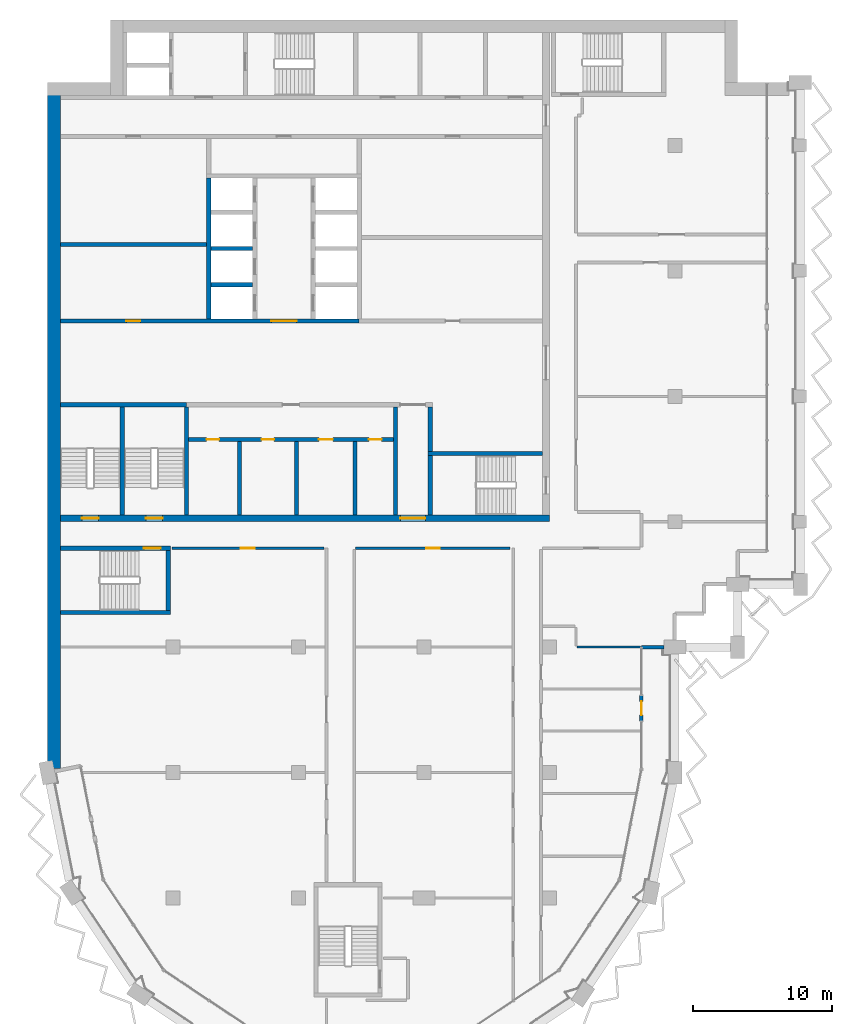
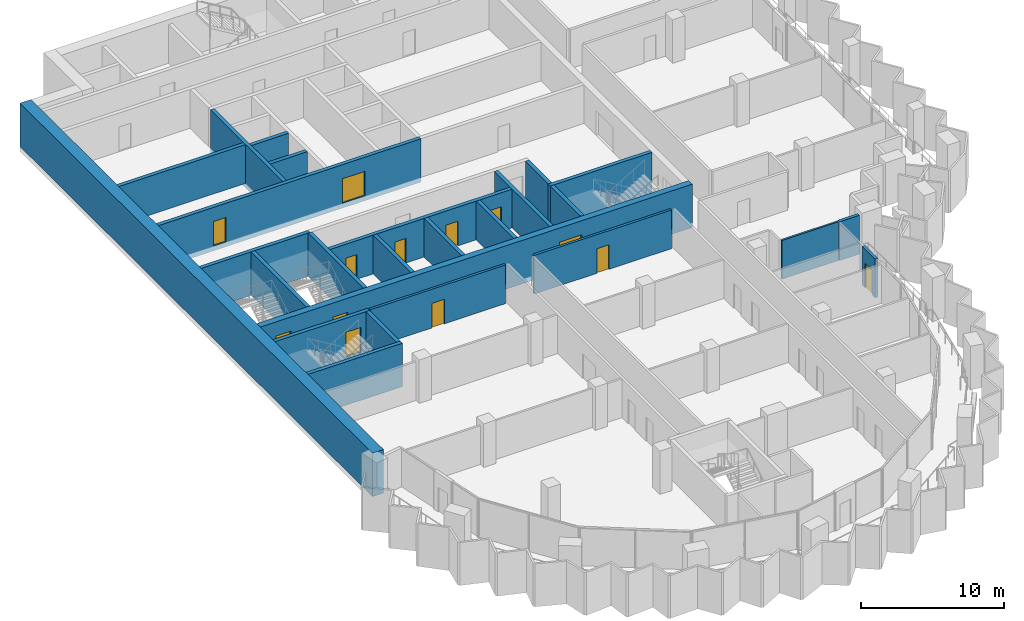
# One storey, part 8 of 16: 26 walls, 13 doors, 13 openings.
"""IFC4 building model written with IfcOpenShell, lengths in metres."""

from ifc_helpers import new_model, si_unit, direction, frame, frame_2d, origin, place, context, subcontext, project, spatial, rectangle, extrude, material, layer, layer_set, type_object, element, fill, save


model = new_model("IFC4")

# Units and contexts
model_context = context("Model", 3, precision=1e-05, world=origin(), true_north=direction((0.0, 1.0)))
body_context = subcontext(model_context, "Body", "Model", "MODEL_VIEW")
ifc_project = project(units=[si_unit("LENGTHUNIT", "METRE"), si_unit("AREAUNIT", "SQUARE_METRE"), si_unit("VOLUMEUNIT", "CUBIC_METRE"), si_unit("PLANEANGLEUNIT", "RADIAN"), si_unit("MASSUNIT", "GRAM", prefix="KILO")], contexts=[model_context])

# Site, building, storey
site_placement = place(None, origin())
site = spatial("IfcSite", under=ifc_project, at=site_placement, CompositionType="ELEMENT")
building_placement = place(site_placement, origin())
building = spatial("IfcBuilding", under=site, at=building_placement, Name="Hunhe Ridgeline Campus", CompositionType="ELEMENT")
storey_placement = place(building_placement, frame((0.0, 0.0, 257.699951171875)))
storey = spatial("IfcBuildingStorey", under=building, at=storey_placement, Name="L66", CompositionType="ELEMENT", Elevation=257.699951171875)

# Wall, openings, doors
ifc_material_1 = material(Name="Masonry concrete blockwork", Category="masonry")
ifc_layer_1 = layer(ifc_material_1, 0.300048828125)
ifc_layer_set_1 = layer_set([ifc_layer_1], Name="Core room partition 300 concrete block")
wall_type_1 = type_object("IfcWallType", Name="Core room partition 300 concrete block", PredefinedType="PARTITIONING", material=ifc_layer_set_1)
wall_1_placement = place(storey_placement, frame((10.10009765625, 68.89990234375, 0.0), z_axis=(0.0, 0.0, 1.0), x_axis=(1.0, 0.0, 0.0)))
wall_1 = element("IfcWall", 1, at=wall_1_placement, inside=storey, type_object=wall_type_1, Name="L66 core partition 7", PredefinedType="PARTITIONING", context=body_context, shape_type="SweptSolid", body=[
    extrude(rectangle(XDim=14.699951171875, YDim=0.300048828125, at=frame_2d((7.35009765625, 0.0))), origin(), (0.0, 0.0, 1.0), 3.300048828125),
])
opening_1_placement = place(wall_1_placement, frame((1.300048828125, 0.0, 0.0)))
opening_1 = element("IfcOpeningElement", 2, at=opening_1_placement, cuts=wall_1, Name="Opening CD8", PredefinedType="OPENING", context=body_context, shape_type="SweptSolid", body=[
    extrude(rectangle(XDim=0.89990234375, YDim=2.10009765625, at=frame_2d((0.449951171875, 1.050048828125))), frame((0.0, 0.14990234375, 0.0), z_axis=(0.0, -1.0, 0.0), x_axis=(1.0, 0.0, 0.0)), (0.0, 0.0, 1.0), 0.300048828125),
])
opening_2_placement = place(wall_1_placement, frame((5.25, 0.0, 0.0)))
opening_2 = element("IfcOpeningElement", 3, at=opening_2_placement, cuts=wall_1, Name="Opening CD9", PredefinedType="OPENING", context=body_context, shape_type="SweptSolid", body=[
    extrude(rectangle(XDim=0.89990234375, YDim=2.10009765625, at=frame_2d((0.449951171875, 1.050048828125))), frame((0.0, 0.14990234375, 0.0), z_axis=(0.0, -1.0, 0.0), x_axis=(1.0, 0.0, 0.0)), (0.0, 0.0, 1.0), 0.300048828125),
])
opening_3_placement = place(wall_1_placement, frame((9.35009765625, 0.0, 0.0)))
opening_3 = element("IfcOpeningElement", 4, at=opening_3_placement, cuts=wall_1, Name="Opening CD10", PredefinedType="OPENING", context=body_context, shape_type="SweptSolid", body=[
    extrude(rectangle(XDim=1.0, YDim=2.10009765625, at=frame_2d((0.5, 1.050048828125))), frame((0.0, 0.14990234375, 0.0), z_axis=(0.0, -1.0, 0.0), x_axis=(1.0, 0.0, 0.0)), (0.0, 0.0, 1.0), 0.300048828125),
])
opening_4_placement = place(wall_1_placement, frame((12.949951171875, 0.0, 0.0)))
opening_4 = element("IfcOpeningElement", 5, at=opening_4_placement, cuts=wall_1, Name="Opening CD11", PredefinedType="OPENING", context=body_context, shape_type="SweptSolid", body=[
    extrude(rectangle(XDim=0.89990234375, YDim=2.10009765625, at=frame_2d((0.449951171875, 1.050048828125))), frame((0.0, 0.14990234375, 0.0), z_axis=(0.0, -1.0, 0.0), x_axis=(1.0, 0.0, 0.0)), (0.0, 0.0, 1.0), 0.300048828125),
])
ifc_material_2 = material(Name="Solid core timber door leaf", Category="wood")
door_type_1 = type_object("IfcDoorType", Name="Timber door 1000x2100", OperationType="SINGLE_SWING_LEFT", PredefinedType="DOOR", material=ifc_material_2)
door_1_placement = place(opening_3_placement, frame((1.0, 0.0, 0.0), z_axis=(0.0, 0.0, 1.0), x_axis=(-1.0, 0.0, 0.0)))
door_1 = element("IfcDoor", 6, at=door_1_placement, inside=storey, type_object=door_type_1, Name="L66 door WC3", OperationType="SINGLE_SWING_LEFT", OverallHeight=2.10009765625, OverallWidth=1.0, PredefinedType="DOOR", context=body_context, shape_type="SweptSolid", body=[
    extrude(rectangle(XDim=1.0, YDim=2.10009765625, at=frame_2d((0.5, 1.050048828125))), frame((0.0, 0.02490234375, 0.0), z_axis=(0.0, -1.0, 0.0), x_axis=(1.0, 0.0, 0.0)), (0.0, 0.0, 1.0), 0.050048828125),
])
fill(opening_3, door_1)
door_type_2 = type_object("IfcDoorType", Name="Timber door 900x2100", OperationType="SINGLE_SWING_LEFT", PredefinedType="DOOR", material=ifc_material_2)
door_2_placement = place(opening_1_placement, frame((0.89990234375, 0.0, 0.0), z_axis=(0.0, 0.0, 1.0), x_axis=(-1.0, 0.0, 0.0)))
door_2 = element("IfcDoor", 7, at=door_2_placement, inside=storey, type_object=door_type_2, Name="L66 door WC1", OperationType="SINGLE_SWING_LEFT", OverallHeight=2.10009765625, OverallWidth=0.89990234375, PredefinedType="DOOR", context=body_context, shape_type="SweptSolid", body=[
    extrude(rectangle(XDim=0.89990234375, YDim=2.10009765625, at=frame_2d((0.449951171875, 1.050048828125))), frame((0.0, 0.02490234375, 0.0), z_axis=(0.0, -1.0, 0.0), x_axis=(1.0, 0.0, 0.0)), (0.0, 0.0, 1.0), 0.050048828125),
])
fill(opening_1, door_2)
door_3_placement = place(opening_2_placement, frame((0.89990234375, 0.0, 0.0), z_axis=(0.0, 0.0, 1.0), x_axis=(-1.0, 0.0, 0.0)))
door_3 = element("IfcDoor", 8, at=door_3_placement, inside=storey, type_object=door_type_2, Name="L66 door WC2", OperationType="SINGLE_SWING_RIGHT", OverallHeight=2.10009765625, OverallWidth=0.89990234375, PredefinedType="DOOR", context=body_context, shape_type="SweptSolid", body=[
    extrude(rectangle(XDim=0.89990234375, YDim=2.10009765625, at=frame_2d((0.449951171875, 1.050048828125))), frame((0.0, 0.02490234375, 0.0), z_axis=(0.0, -1.0, 0.0), x_axis=(1.0, 0.0, 0.0)), (0.0, 0.0, 1.0), 0.050048828125),
])
fill(opening_2, door_3)
door_4_placement = place(opening_4_placement, frame((0.89990234375, 0.0, 0.0), z_axis=(0.0, 0.0, 1.0), x_axis=(-1.0, 0.0, 0.0)))
door_4 = element("IfcDoor", 9, at=door_4_placement, inside=storey, type_object=door_type_2, Name="L66 door WC4", OperationType="SINGLE_SWING_RIGHT", OverallHeight=2.10009765625, OverallWidth=0.89990234375, PredefinedType="DOOR", context=body_context, shape_type="SweptSolid", body=[
    extrude(rectangle(XDim=0.89990234375, YDim=2.10009765625, at=frame_2d((0.449951171875, 1.050048828125))), frame((0.0, 0.02490234375, 0.0), z_axis=(0.0, -1.0, 0.0), x_axis=(1.0, 0.0, 0.0)), (0.0, 0.0, 1.0), 0.050048828125),
])
fill(opening_4, door_4)

# Walls
wall_2_placement = place(storey_placement, frame((0.89990234375, 82.89990234375, 0.0), z_axis=(0.0, 0.0, 1.0), x_axis=(1.0, 0.0, 0.0)))
element("IfcWall", 10, at=wall_2_placement, inside=storey, type_object=wall_type_1, Name="L66 core partition 16", PredefinedType="PARTITIONING", context=body_context, shape_type="SweptSolid", body=[
    extrude(rectangle(XDim=10.5, YDim=0.300048828125, at=frame_2d((5.25, 0.0))), origin(), (0.0, 0.0, 1.0), 3.300048828125),
])
for number, where, z_axis, x_axis, name in (
    (11, (13.75, 63.5, 0.0), (0.0, 0.0, 1.0), (0.0, 1.0, 0.0), "L66 core partition 32"),
    (12, (17.85009765625, 63.5, 0.0), (0.0, 0.0, 1.0), (0.0, 1.0, 0.0), "L66 core partition 35"),
    (13, (22.050048828125, 63.5, 0.0), (0.0, 0.0, 1.0), (0.0, 1.0, 0.0), "L66 core partition 38"),
):
    element("IfcWall", number, at=place(storey_placement, frame(where, z_axis=z_axis, x_axis=x_axis)), inside=storey, type_object=wall_type_1, Name=name, PredefinedType="PARTITIONING", context=body_context, shape_type="SweptSolid", body=[
        extrude(rectangle(XDim=5.25, YDim=0.300048828125, at=frame_2d((2.625, 0.0))), origin(), (0.0, 0.0, 1.0), 3.300048828125),
    ])
wall_3_placement = place(storey_placement, frame((24.949951171875, 63.5, 0.0), z_axis=(0.0, 0.0, 1.0), x_axis=(0.0, 1.0, 0.0)))
element("IfcWall", 14, at=wall_3_placement, inside=storey, type_object=wall_type_1, Name="L66 core partition 43", PredefinedType="PARTITIONING", context=body_context, shape_type="SweptSolid", body=[
    extrude(rectangle(XDim=7.75, YDim=0.300048828125, at=frame_2d((3.875, 0.0))), origin(), (0.0, 0.0, 1.0), 3.300048828125),
])
wall_4_placement = place(storey_placement, frame((27.449951171875, 68.050048828125, 0.0), z_axis=(0.0, 0.0, 1.0), x_axis=(0.0, 1.0, 0.0)))
element("IfcWall", 15, at=wall_4_placement, inside=storey, type_object=wall_type_1, Name="L66 core partition 46", PredefinedType="PARTITIONING", context=body_context, shape_type="SweptSolid", body=[
    extrude(rectangle(XDim=3.199951171875, YDim=0.300048828125, at=frame_2d((1.60009765625, 0.0))), origin(), (0.0, 0.0, 1.0), 3.300048828125),
])

# Wall, openings, doors
ifc_material_3 = material(Name="Concrete C50", Category="concrete")
ifc_layer_2 = layer(ifc_material_3, 0.5)
ifc_layer_set_2 = layer_set([ifc_layer_2], Name="Core wall 500 reinforced concrete C50")
wall_type_2 = type_object("IfcWallType", Name="Core wall 500 reinforced concrete C50", PredefinedType="SOLIDWALL", material=ifc_layer_set_2)
wall_5_placement = place(storey_placement, frame((0.89990234375, 63.25, -0.39990234375), z_axis=(0.0, 0.0, 1.0), x_axis=(1.0, 0.0, 0.0)))
wall_5 = element("IfcWall", 16, at=wall_5_placement, inside=storey, type_object=wall_type_2, Name="L66 core wall 5", PredefinedType="SOLIDWALL", context=body_context, shape_type="SweptSolid", body=[
    extrude(rectangle(XDim=35.10009765625, YDim=0.5, at=frame_2d((17.550048828125, 0.0))), origin(), (0.0, 0.0, 1.0), 3.699951171875),
])
opening_5_placement = place(wall_5_placement, frame((24.39990234375, 0.0, 0.39990234375)))
opening_5 = element("IfcOpeningElement", 17, at=opening_5_placement, cuts=wall_5, Name="Opening CD6", PredefinedType="OPENING", context=body_context, shape_type="SweptSolid", body=[
    extrude(rectangle(XDim=1.800048828125, YDim=2.10009765625, at=frame_2d((0.89990234375, 1.050048828125))), frame((0.0, 0.25, 0.0), z_axis=(0.0, -1.0, 0.0), x_axis=(1.0, 0.0, 0.0)), (0.0, 0.0, 1.0), 0.5),
])
opening_6_placement = place(wall_5_placement, frame((1.550048828125, 0.0, 0.39990234375)))
opening_6 = element("IfcOpeningElement", 18, at=opening_6_placement, cuts=wall_5, Name="Opening CD13", PredefinedType="OPENING", context=body_context, shape_type="SweptSolid", body=[
    extrude(rectangle(XDim=1.199951171875, YDim=2.10009765625, at=frame_2d((0.60009765625, 1.050048828125))), frame((0.0, 0.25, 0.0), z_axis=(0.0, -1.0, 0.0), x_axis=(1.0, 0.0, 0.0)), (0.0, 0.0, 1.0), 0.5),
])
opening_7_placement = place(wall_5_placement, frame((6.14990234375, 0.0, 0.39990234375)))
opening_7 = element("IfcOpeningElement", 19, at=opening_7_placement, cuts=wall_5, Name="Opening CD14", PredefinedType="OPENING", context=body_context, shape_type="SweptSolid", body=[
    extrude(rectangle(XDim=1.199951171875, YDim=2.10009765625, at=frame_2d((0.60009765625, 1.050048828125))), frame((0.0, 0.25, 0.0), z_axis=(0.0, -1.0, 0.0), x_axis=(1.0, 0.0, 0.0)), (0.0, 0.0, 1.0), 0.5),
])
ifc_material_4 = material(Name="Anodised aluminium and glass", Category="aluminium")
door_type_3 = type_object("IfcDoorType", Name="Glazed double door 1800x2100", OperationType="DOUBLE_DOOR_SINGLE_SWING", PredefinedType="DOOR", material=ifc_material_4)
door_5_placement = place(opening_5_placement, frame((1.800048828125, 0.0, 0.0), z_axis=(0.0, 0.0, 1.0), x_axis=(-1.0, 0.0, 0.0)))
door_5 = element("IfcDoor", 20, at=door_5_placement, inside=storey, type_object=door_type_3, Name="L66 door VEST-FLOOR", OperationType="DOUBLE_DOOR_SINGLE_SWING", OverallHeight=2.10009765625, OverallWidth=1.800048828125, PredefinedType="DOOR", context=body_context, shape_type="SweptSolid", body=[
    extrude(rectangle(XDim=1.800048828125, YDim=2.10009765625, at=frame_2d((0.89990234375, 1.050048828125))), frame((0.0, 0.02490234375, 0.0), z_axis=(0.0, -1.0, 0.0), x_axis=(1.0, 0.0, 0.0)), (0.0, 0.0, 1.0), 0.050048828125),
])
fill(opening_5, door_5)
ifc_material_5 = material(Name="Hollow metal fire door leaf")
door_type_4 = type_object("IfcDoorType", Name="Stair door 1200x2100 FD60", OperationType="SINGLE_SWING_LEFT", PredefinedType="DOOR", material=ifc_material_5)
door_6_placement = place(opening_6_placement, frame((1.199951171875, 0.0, 0.0), z_axis=(0.0, 0.0, 1.0), x_axis=(-1.0, 0.0, 0.0)))
door_6 = element("IfcDoor", 21, at=door_6_placement, inside=storey, type_object=door_type_4, Name="L66 door S3", OperationType="SINGLE_SWING_LEFT", OverallHeight=2.10009765625, OverallWidth=1.199951171875, PredefinedType="DOOR", context=body_context, shape_type="SweptSolid", body=[
    extrude(rectangle(XDim=1.199951171875, YDim=2.10009765625, at=frame_2d((0.60009765625, 1.050048828125))), frame((0.0, 0.02490234375, 0.0), z_axis=(0.0, -1.0, 0.0), x_axis=(1.0, 0.0, 0.0)), (0.0, 0.0, 1.0), 0.050048828125),
])
fill(opening_6, door_6)
door_7_placement = place(opening_7_placement, frame((1.199951171875, 0.0, 0.0), z_axis=(0.0, 0.0, 1.0), x_axis=(-1.0, 0.0, 0.0)))
door_7 = element("IfcDoor", 22, at=door_7_placement, inside=storey, type_object=door_type_4, Name="L66 door S4", OperationType="SINGLE_SWING_RIGHT", OverallHeight=2.10009765625, OverallWidth=1.199951171875, PredefinedType="DOOR", context=body_context, shape_type="SweptSolid", body=[
    extrude(rectangle(XDim=1.199951171875, YDim=2.10009765625, at=frame_2d((0.60009765625, 1.050048828125))), frame((0.0, 0.02490234375, 0.0), z_axis=(0.0, -1.0, 0.0), x_axis=(1.0, 0.0, 0.0)), (0.0, 0.0, 1.0), 0.050048828125),
])
fill(opening_7, door_7)

# Wall
ifc_material_6 = material(Name="Concrete C30", Category="concrete")
ifc_layer_3 = layer(ifc_material_6, 0.25)
ifc_layer_set_3 = layer_set([ifc_layer_3], Name="Corner return wall 250 Concrete C30")
wall_type_3 = type_object("IfcWallType", Name="Corner return wall 250 Concrete C30", PredefinedType="SOLIDWALL", material=ifc_layer_set_3)
wall_6_placement = place(storey_placement, frame((42.59912109375, 54.00048828125, 0.0), z_axis=(0.0, 0.0, 1.0), x_axis=(0.999999988371, 0.000152508767, 0.0)))
element("IfcWall", 23, at=wall_6_placement, inside=storey, type_object=wall_type_3, Name="Corner return wall 2", PredefinedType="SOLIDWALL", context=body_context, shape_type="SweptSolid", body=[
    extrude(rectangle(XDim=1.600830078125, YDim=0.25, at=frame_2d((0.80029296875, 0.0))), origin(), (0.0, 0.0, 1.0), 3.300048828125),
])

# Wall, opening, door
ifc_material_7 = material(Name="Gypsum board partition")
ifc_layer_4 = layer(ifc_material_7, 0.199951171875)
ifc_layer_set_4 = layer_set([ifc_layer_4], Name="Corridor partition 200 gypsum board on steel studs")
wall_type_4 = type_object("IfcWallType", Name="Corridor partition 200 gypsum board on steel studs", PredefinedType="PARTITIONING", material=ifc_layer_set_4)
wall_7_placement = place(storey_placement, frame((19.8056640625, 61.10009765625, 0.0), z_axis=(0.0, 0.0, 1.0), x_axis=(-1.0, 0.0, 0.0)))
wall_7 = element("IfcWall", 24, at=wall_7_placement, inside=storey, type_object=wall_type_4, Name="F-L66-wall-021", PredefinedType="PARTITIONING", context=body_context, shape_type="SweptSolid", body=[
    extrude(rectangle(XDim=10.901611328125, YDim=0.199951171875, at=frame_2d((5.45068359375, 0.0))), origin(), (0.0, 0.0, 1.0), 3.300048828125),
])
opening_8_placement = place(wall_7_placement, frame((4.95068359375, 0.0, 0.0)))
opening_8 = element("IfcOpeningElement", 25, at=opening_8_placement, cuts=wall_7, Name="Opening RD1-015", PredefinedType="OPENING", context=body_context, shape_type="SweptSolid", body=[
    extrude(rectangle(XDim=1.0, YDim=2.10009765625, at=frame_2d((0.5, 1.050048828125))), frame((0.0, 0.10009765625, 0.0), z_axis=(0.0, -1.0, 0.0), x_axis=(1.0, 0.0, 0.0)), (0.0, 0.0, 1.0), 0.199951171875),
])
ifc_material_8 = material(Name="Timber door leaf", Category="wood")
door_type_5 = type_object("IfcDoorType", Name="Single fire door 1000x2100 timber FD60", OperationType="NOTDEFINED", PredefinedType="DOOR", material=ifc_material_8)
door_8_placement = place(opening_8_placement, origin())
door_8 = element("IfcDoor", 26, at=door_8_placement, inside=storey, type_object=door_type_5, Name="F-L66-door-015", OperationType="SINGLE_SWING_LEFT", OverallHeight=2.10009765625, OverallWidth=1.0, PredefinedType="DOOR", context=body_context, shape_type="SweptSolid", body=[
    extrude(rectangle(XDim=1.0, YDim=2.10009765625, at=frame_2d((0.5, 1.050048828125))), frame((0.0, 0.02490234375, 0.0), z_axis=(0.0, -1.0, 0.0), x_axis=(1.0, 0.0, 0.0)), (0.0, 0.0, 1.0), 0.050048828125),
])
fill(opening_8, door_8)

wall_8_placement = place(storey_placement, frame((33.18505859375, 61.10009765625, 0.0), z_axis=(0.0, 0.0, 1.0), x_axis=(-1.0, 0.0, 0.0)))
wall_8 = element("IfcWall", 27, at=wall_8_placement, inside=storey, type_object=wall_type_4, Name="F-L66-wall-022", PredefinedType="PARTITIONING", context=body_context, shape_type="SweptSolid", body=[
    extrude(rectangle(XDim=11.0849609375, YDim=0.199951171875, at=frame_2d((5.54248046875, 0.0))), origin(), (0.0, 0.0, 1.0), 3.300048828125),
])
opening_9_placement = place(wall_8_placement, frame((5.04248046875, 0.0, 0.0)))
opening_9 = element("IfcOpeningElement", 28, at=opening_9_placement, cuts=wall_8, Name="Opening RD1-016", PredefinedType="OPENING", context=body_context, shape_type="SweptSolid", body=[
    extrude(rectangle(XDim=1.0, YDim=2.10009765625, at=frame_2d((0.5, 1.050048828125))), frame((0.0, 0.10009765625, 0.0), z_axis=(0.0, -1.0, 0.0), x_axis=(1.0, 0.0, 0.0)), (0.0, 0.0, 1.0), 0.199951171875),
])
door_9_placement = place(opening_9_placement, origin())
door_9 = element("IfcDoor", 29, at=door_9_placement, inside=storey, type_object=door_type_5, Name="F-L66-door-016", OperationType="SINGLE_SWING_LEFT", OverallHeight=2.10009765625, OverallWidth=1.0, PredefinedType="DOOR", context=body_context, shape_type="SweptSolid", body=[
    extrude(rectangle(XDim=1.0, YDim=2.10009765625, at=frame_2d((0.5, 1.050048828125))), frame((0.0, 0.02490234375, 0.0), z_axis=(0.0, -1.0, 0.0), x_axis=(1.0, 0.0, 0.0)), (0.0, 0.0, 1.0), 0.050048828125),
])
fill(opening_9, door_9)

ifc_layer_5 = layer(ifc_material_6, 0.25)
ifc_layer_set_5 = layer_set([ifc_layer_5], Name="Loggia door pier wall 250 Concrete C30")
wall_type_5 = type_object("IfcWallType", Name="Loggia door pier wall 250 Concrete C30", PredefinedType="SOLIDWALL", material=ifc_layer_set_5)
wall_9_placement = place(storey_placement, frame((42.59912109375, 48.718505859375, 0.0), z_axis=(0.0, 0.0, 1.0), x_axis=(0.0, 1.0, 0.0)))
wall_9 = element("IfcWall", 30, at=wall_9_placement, inside=storey, type_object=wall_type_5, Name="Loggia door pier 3", PredefinedType="SOLIDWALL", context=body_context, shape_type="SweptSolid", body=[
    extrude(rectangle(XDim=1.800048828125, YDim=0.25, at=frame_2d((0.89990234375, 0.0))), origin(), (0.0, 0.0, 1.0), 3.300048828125),
])
opening_10_placement = place(wall_9_placement, frame((0.39990234375, 0.0, 0.0)))
opening_10 = element("IfcOpeningElement", 31, at=opening_10_placement, cuts=wall_9, Name="Opening BD505", PredefinedType="OPENING", context=body_context, shape_type="SweptSolid", body=[
    extrude(rectangle(XDim=1.0, YDim=2.10009765625, at=frame_2d((0.5, 1.050048828125))), frame((0.0, 0.125, 0.0), z_axis=(0.0, -1.0, 0.0), x_axis=(1.0, 0.0, 0.0)), (0.0, 0.0, 1.0), 0.25),
])
ifc_material_9 = material(Name="Aluminium 6063", Category="aluminium")
door_type_6 = type_object("IfcDoorType", Name="Loggia glazed door 1000x2100", OperationType="NOTDEFINED", PredefinedType="DOOR", material=ifc_material_9)
door_10_placement = place(opening_10_placement, frame((1.0, 0.0, 0.0), z_axis=(0.0, 0.0, 1.0), x_axis=(-1.0, 0.0, 0.0)))
door_10 = element("IfcDoor", 32, at=door_10_placement, inside=storey, type_object=door_type_6, Name="Loggia door BD505", OperationType="SINGLE_SWING_RIGHT", OverallHeight=2.10009765625, OverallWidth=1.0, PredefinedType="DOOR", context=body_context, shape_type="SweptSolid", body=[
    extrude(rectangle(XDim=1.0, YDim=2.10009765625, at=frame_2d((0.5, 1.050048828125))), frame((0.0, 0.02490234375, 0.0), z_axis=(0.0, -1.0, 0.0), x_axis=(1.0, 0.0, 0.0)), (0.0, 0.0, 1.0), 0.050048828125),
])
fill(opening_10, door_10)

# Wall
ifc_layer_6 = layer(ifc_material_7, 0.14990234375)
ifc_layer_set_6 = layer_set([ifc_layer_6], Name="Room partition 150 gypsum board on steel studs")
wall_type_6 = type_object("IfcWallType", Name="Room partition 150 gypsum board on steel studs", PredefinedType="PARTITIONING", material=ifc_layer_set_6)
wall_10_placement = place(storey_placement, frame((37.97509765625, 54.0, 0.0), z_axis=(0.0, 0.0, 1.0), x_axis=(1.0, 0.0, 0.0)))
element("IfcWall", 33, at=wall_10_placement, inside=storey, type_object=wall_type_6, Name="F-L66-wall-019", PredefinedType="PARTITIONING", context=body_context, shape_type="SweptSolid", body=[
    extrude(rectangle(XDim=4.570068359375, YDim=0.14990234375, at=frame_2d((2.28515625, 0.0))), origin(), (0.0, 0.0, 1.0), 3.300048828125),
])

# Wall, openings, doors
ifc_layer_7 = layer(ifc_material_3, 0.300048828125)
ifc_layer_set_7 = layer_set([ifc_layer_7], Name="Shaft wall 300 reinforced concrete C50")
wall_type_7 = type_object("IfcWallType", Name="Shaft wall 300 reinforced concrete C50", PredefinedType="SOLIDWALL", material=ifc_layer_set_7)
wall_11_placement = place(storey_placement, frame((0.89990234375, 77.39990234375, -0.39990234375), z_axis=(0.0, 0.0, 1.0), x_axis=(1.0, 0.0, 0.0)))
wall_11 = element("IfcWall", 34, at=wall_11_placement, inside=storey, type_object=wall_type_7, Name="L66 core wall 10", PredefinedType="SOLIDWALL", context=body_context, shape_type="SweptSolid", body=[
    extrude(rectangle(XDim=21.4501953125, YDim=0.300048828125, at=frame_2d((10.72509765625, 0.0))), origin(), (0.0, 0.0, 1.0), 3.699951171875),
])
opening_11_placement = place(wall_11_placement, frame((15.14990234375, 0.0, 0.39990234375)))
opening_11 = element("IfcOpeningElement", 35, at=opening_11_placement, cuts=wall_11, Name="Opening CD38", PredefinedType="OPENING", context=body_context, shape_type="SweptSolid", body=[
    extrude(rectangle(XDim=1.800048828125, YDim=2.10009765625, at=frame_2d((0.89990234375, 1.050048828125))), frame((0.0, 0.14990234375, 0.0), z_axis=(0.0, -1.0, 0.0), x_axis=(1.0, 0.0, 0.0)), (0.0, 0.0, 1.0), 0.300048828125),
])
opening_12_placement = place(wall_11_placement, frame((4.75, 0.0, 0.39990234375)))
opening_12 = element("IfcOpeningElement", 36, at=opening_12_placement, cuts=wall_11, Name="Opening CD39", PredefinedType="OPENING", context=body_context, shape_type="SweptSolid", body=[
    extrude(rectangle(XDim=1.0, YDim=2.10009765625, at=frame_2d((0.5, 1.050048828125))), frame((0.0, 0.14990234375, 0.0), z_axis=(0.0, -1.0, 0.0), x_axis=(1.0, 0.0, 0.0)), (0.0, 0.0, 1.0), 0.300048828125),
])
door_type_7 = type_object("IfcDoorType", Name="Lobby door 1800x2100 FD60", OperationType="SINGLE_SWING_LEFT", PredefinedType="DOOR", material=ifc_material_5)
door_11_placement = place(opening_11_placement, frame((1.800048828125, 0.0, 0.0), z_axis=(0.0, 0.0, 1.0), x_axis=(-1.0, 0.0, 0.0)))
door_11 = element("IfcDoor", 37, at=door_11_placement, inside=storey, type_object=door_type_7, Name="L66 door LOB-HR", OperationType="SINGLE_SWING_RIGHT", OverallHeight=2.10009765625, OverallWidth=1.800048828125, PredefinedType="DOOR", context=body_context, shape_type="SweptSolid", body=[
    extrude(rectangle(XDim=1.800048828125, YDim=2.10009765625, at=frame_2d((0.89990234375, 1.050048828125))), frame((0.0, 0.02490234375, 0.0), z_axis=(0.0, -1.0, 0.0), x_axis=(1.0, 0.0, 0.0)), (0.0, 0.0, 1.0), 0.050048828125),
])
fill(opening_11, door_11)
door_12_placement = place(opening_12_placement, origin())
door_12 = element("IfcDoor", 38, at=door_12_placement, inside=storey, type_object=door_type_1, Name="L66 door VD-LR0", OperationType="SINGLE_SWING_RIGHT", OverallHeight=2.10009765625, OverallWidth=1.0, PredefinedType="DOOR", context=body_context, shape_type="SweptSolid", body=[
    extrude(rectangle(XDim=1.0, YDim=2.10009765625, at=frame_2d((0.5, 1.050048828125))), frame((0.0, 0.02490234375, 0.0), z_axis=(0.0, -1.0, 0.0), x_axis=(1.0, 0.0, 0.0)), (0.0, 0.0, 1.0), 0.050048828125),
])
fill(opening_12, door_12)

# Walls
for number, where, z_axis, x_axis, name in (
    (39, (11.699951171875, 80.0, -0.39990234375), (0.0, 0.0, 1.0), (1.0, 0.0, 0.0), "L66 core wall 12"),
    (40, (11.699951171875, 82.60009765625, -0.39990234375), (0.0, 0.0, 1.0), (1.0, 0.0, 0.0), "L66 core wall 14"),
):
    element("IfcWall", number, at=place(storey_placement, frame(where, z_axis=z_axis, x_axis=x_axis)), inside=storey, type_object=wall_type_7, Name=name, PredefinedType="SOLIDWALL", context=body_context, shape_type="SweptSolid", body=[
        extrude(rectangle(XDim=3.0, YDim=0.300048828125, at=frame_2d((1.5, 0.0))), origin(), (0.0, 0.0, 1.0), 3.699951171875),
    ])
wall_12_placement = place(storey_placement, frame((11.550048828125, 77.550048828125, -0.39990234375), z_axis=(0.0, 0.0, 1.0), x_axis=(0.0, 1.0, 0.0)))
element("IfcWall", 41, at=wall_12_placement, inside=storey, type_object=wall_type_7, Name="L66 core wall 30", PredefinedType="SOLIDWALL", context=body_context, shape_type="SweptSolid", body=[
    extrude(rectangle(XDim=10.099853515625, YDim=0.300048828125, at=frame_2d((5.0498046875, 0.0))), origin(), (0.0, 0.0, 1.0), 3.699951171875),
])
ifc_material_10 = material(Name="Concrete C60", Category="concrete")
ifc_layer_8 = layer(ifc_material_10, 0.89990234375)
ifc_layer_set_8 = layer_set([ifc_layer_8], Name="Spine wall 900 Concrete C60")
wall_type_8 = type_object("IfcWallType", Name="Spine wall 900 Concrete C60", PredefinedType="SHEAR", material=ifc_layer_set_8)
wall_13_placement = place(storey_placement, frame((0.449951171875, 94.5, 0.0), z_axis=(0.0, 0.0, 1.0), x_axis=(0.0, -1.0, 0.0)))
element("IfcWall", 42, at=wall_13_placement, inside=storey, type_object=wall_type_8, Name="Spine wall SW3-1 L66", PredefinedType="SHEAR", context=body_context, shape_type="SweptSolid", body=[
    extrude(rectangle(XDim=49.199462890625, YDim=0.89990234375, at=frame_2d((24.599609375, 0.0))), origin(), (0.0, 0.0, 1.0), 3.699951171875),
])
ifc_layer_9 = layer(ifc_material_3, 0.300048828125)
ifc_layer_set_9 = layer_set([ifc_layer_9], Name="Stair wall 300 reinforced concrete C50")
wall_type_9 = type_object("IfcWallType", Name="Stair wall 300 reinforced concrete C50", PredefinedType="SOLIDWALL", material=ifc_layer_set_9)
wall_14_placement = place(storey_placement, frame((0.89990234375, 56.5, -0.39990234375), z_axis=(0.0, 0.0, 1.0), x_axis=(1.0, 0.0, 0.0)))
element("IfcWall", 43, at=wall_14_placement, inside=storey, type_object=wall_type_9, Name="L66 core wall 3", PredefinedType="SOLIDWALL", context=body_context, shape_type="SweptSolid", body=[
    extrude(rectangle(XDim=7.900146484375, YDim=0.300048828125, at=frame_2d((3.9501953125, 0.0))), origin(), (0.0, 0.0, 1.0), 3.699951171875),
])

# Wall, opening, door
wall_15_placement = place(storey_placement, frame((0.89990234375, 61.10009765625, -0.39990234375), z_axis=(0.0, 0.0, 1.0), x_axis=(1.0, 0.0, 0.0)))
wall_15 = element("IfcWall", 44, at=wall_15_placement, inside=storey, type_object=wall_type_9, Name="L66 core wall 4", PredefinedType="SOLIDWALL", context=body_context, shape_type="SweptSolid", body=[
    extrude(rectangle(XDim=7.900146484375, YDim=0.300048828125, at=frame_2d((3.9501953125, 0.0))), origin(), (0.0, 0.0, 1.0), 3.699951171875),
])
opening_13_placement = place(wall_15_placement, frame((6.0, 0.0, 0.39990234375)))
opening_13 = element("IfcOpeningElement", 45, at=opening_13_placement, cuts=wall_15, Name="Opening CD22", PredefinedType="OPENING", context=body_context, shape_type="SweptSolid", body=[
    extrude(rectangle(XDim=1.199951171875, YDim=2.10009765625, at=frame_2d((0.60009765625, 1.050048828125))), frame((0.0, 0.14990234375, 0.0), z_axis=(0.0, -1.0, 0.0), x_axis=(1.0, 0.0, 0.0)), (0.0, 0.0, 1.0), 0.300048828125),
])
door_13_placement = place(opening_13_placement, origin())
door_13 = element("IfcDoor", 46, at=door_13_placement, inside=storey, type_object=door_type_4, Name="L66 door W2", OperationType="SINGLE_SWING_LEFT", OverallHeight=2.10009765625, OverallWidth=1.199951171875, PredefinedType="DOOR", context=body_context, shape_type="SweptSolid", body=[
    extrude(rectangle(XDim=1.199951171875, YDim=2.10009765625, at=frame_2d((0.60009765625, 1.050048828125))), frame((0.0, 0.02490234375, 0.0), z_axis=(0.0, -1.0, 0.0), x_axis=(1.0, 0.0, 0.0)), (0.0, 0.0, 1.0), 0.050048828125),
])
fill(opening_13, door_13)

# Walls
wall_16_placement = place(storey_placement, frame((27.300048828125, 67.89990234375, -0.39990234375), z_axis=(0.0, 0.0, 1.0), x_axis=(1.0, 0.0, 0.0)))
element("IfcWall", 47, at=wall_16_placement, inside=storey, type_object=wall_type_9, Name="L66 core wall 6", PredefinedType="SOLIDWALL", context=body_context, shape_type="SweptSolid", body=[
    extrude(rectangle(XDim=8.199951171875, YDim=0.300048828125, at=frame_2d((4.10009765625, 0.0))), origin(), (0.0, 0.0, 1.0), 3.699951171875),
])
wall_17_placement = place(storey_placement, frame((0.89990234375, 71.39990234375, -0.39990234375), z_axis=(0.0, 0.0, 1.0), x_axis=(1.0, 0.0, 0.0)))
element("IfcWall", 48, at=wall_17_placement, inside=storey, type_object=wall_type_9, Name="L66 core wall 8", PredefinedType="SOLIDWALL", context=body_context, shape_type="SweptSolid", body=[
    extrude(rectangle(XDim=9.050048828125, YDim=0.300048828125, at=frame_2d((4.52490234375, 0.0))), origin(), (0.0, 0.0, 1.0), 3.699951171875),
])
wall_18_placement = place(storey_placement, frame((5.35009765625, 63.5, -0.39990234375), z_axis=(0.0, 0.0, 1.0), x_axis=(0.0, 1.0, 0.0)))
element("IfcWall", 49, at=wall_18_placement, inside=storey, type_object=wall_type_9, Name="L66 core wall 25", PredefinedType="SOLIDWALL", context=body_context, shape_type="SweptSolid", body=[
    extrude(rectangle(XDim=7.75, YDim=0.300048828125, at=frame_2d((3.875, 0.0))), origin(), (0.0, 0.0, 1.0), 3.699951171875),
])
wall_19_placement = place(storey_placement, frame((8.64990234375, 56.64990234375, -0.39990234375), z_axis=(0.0, 0.0, 1.0), x_axis=(0.0, 1.0, 0.0)))
element("IfcWall", 50, at=wall_19_placement, inside=storey, type_object=wall_type_9, Name="L66 core wall 27", PredefinedType="SOLIDWALL", context=body_context, shape_type="SweptSolid", body=[
    extrude(rectangle(XDim=4.300048828125, YDim=0.300048828125, at=frame_2d((2.14990234375, 0.0))), origin(), (0.0, 0.0, 1.0), 3.699951171875),
])
wall_20_placement = place(storey_placement, frame((9.949951171875, 63.5, -0.39990234375), z_axis=(0.0, 0.0, 1.0), x_axis=(0.0, 1.0, 0.0)))
element("IfcWall", 51, at=wall_20_placement, inside=storey, type_object=wall_type_9, Name="L66 core wall 29", PredefinedType="SOLIDWALL", context=body_context, shape_type="SweptSolid", body=[
    extrude(rectangle(XDim=7.75, YDim=0.300048828125, at=frame_2d((3.875, 0.0))), origin(), (0.0, 0.0, 1.0), 3.699951171875),
])
wall_21_placement = place(storey_placement, frame((27.449951171875, 63.5, -0.39990234375), z_axis=(0.0, 0.0, 1.0), x_axis=(0.0, 1.0, 0.0)))
element("IfcWall", 52, at=wall_21_placement, inside=storey, type_object=wall_type_9, Name="L66 core wall 45", PredefinedType="SOLIDWALL", context=body_context, shape_type="SweptSolid", body=[
    extrude(rectangle(XDim=4.25, YDim=0.300048828125, at=frame_2d((2.125, 0.0))), origin(), (0.0, 0.0, 1.0), 3.699951171875),
])

save(model, "model.ifc")
